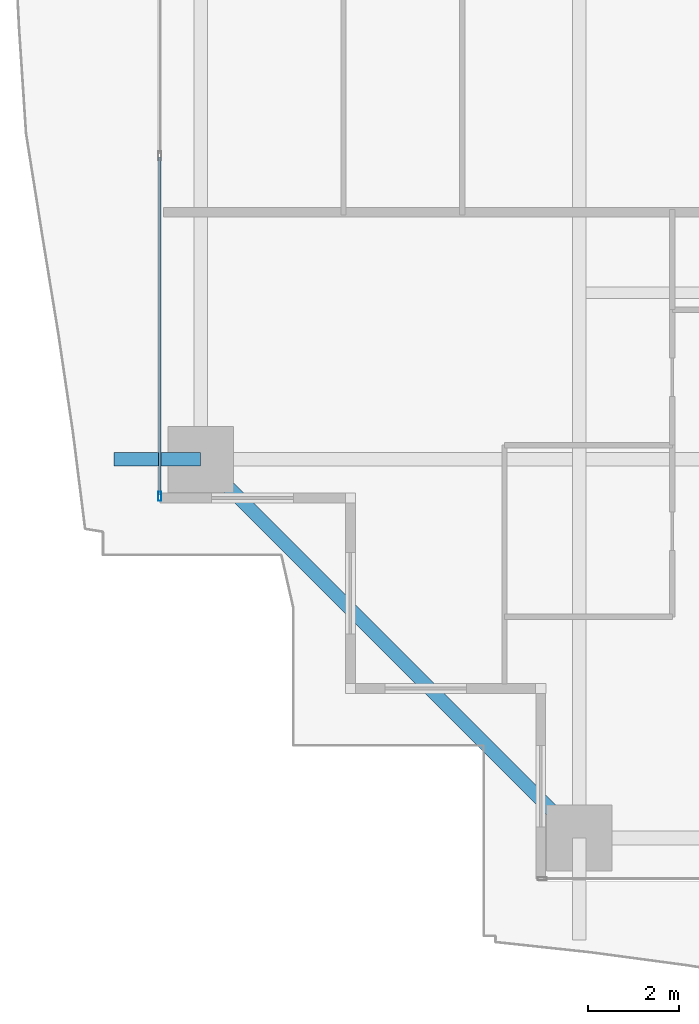
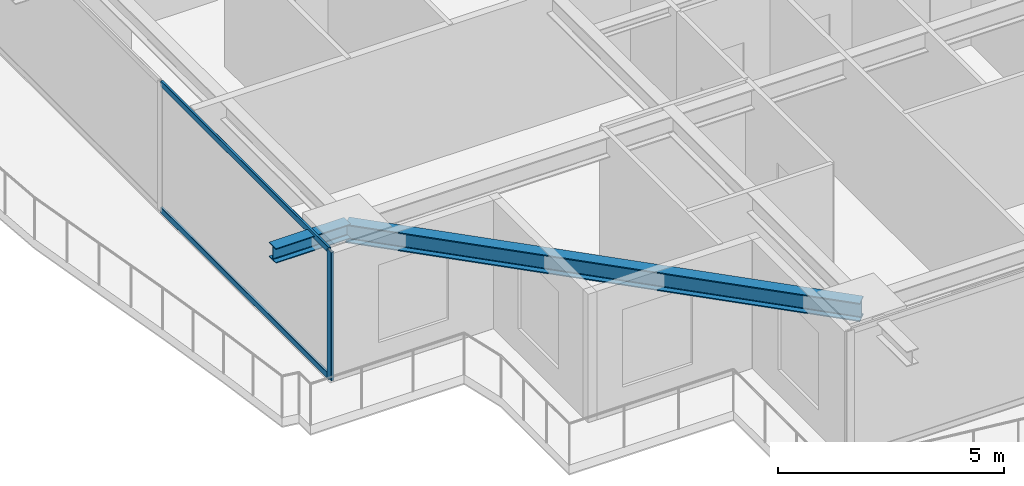
# One storey, part 3 of 40: 3 members, 2 beams, 1 element without a shape of its own.
"""IFC4 building model written with IfcOpenShell, lengths in metres."""

import ifcopenshell
import ifcopenshell.guid

model = None  # the IFC model being written
_history = None  # IfcOwnerHistory: only IFC2X3 demands one
_inside = {}  # id of a spatial element -> (the spatial element, [elements in it])
_under = {}  # id of a project, library or spatial element -> (it, [spatial elements below it])
_declared = {}  # id of a project -> (the project, [libraries it declares])
_typed = {}  # id of a type object -> (the type object, [elements of that type])
_made_of = {}  # id of a material, layer set ... -> (it, [elements and type objects made of it])


def new_model(schema):
    """Start an empty IFC model of exactly this schema.

    Asked for "IFC4X3", IfcOpenShell would pick the latest addendum, in which some entities
    have other attributes; the version numbers below select the first issue.
    IFC2X3 requires an IfcOwnerHistory on every rooted entity: one is made here for all.
    """
    global model, _history
    if schema == "IFC4X3":
        model = ifcopenshell.file(schema_version=(4, 3, 0, 0))
    else:
        model = ifcopenshell.file(schema=schema)
    _inside.clear()
    _under.clear()
    _declared.clear()
    _typed.clear()
    _made_of.clear()
    _history = None
    if model.schema == "IFC2X3":
        org = make("IfcOrganization", Name="unknown")
        user = make(
            "IfcPersonAndOrganization",
            ThePerson=make("IfcPerson", FamilyName="unknown"),
            TheOrganization=org,
        )
        app = make(
            "IfcApplication",
            ApplicationDeveloper=org,
            Version="unknown",
            ApplicationFullName="unknown",
            ApplicationIdentifier="unknown",
        )
        _history = make(
            "IfcOwnerHistory",
            OwningUser=user,
            OwningApplication=app,
            ChangeAction="ADDED",
            CreationDate=0,
        )
    return model


def make(cls, **values):
    """One entity of the class cls with the attributes given. An attribute that is None is left unset."""
    return model.create_entity(
        cls, **{name: value for name, value in values.items() if value is not None}
    )


def rooted(cls, **values):
    """An entity with a GlobalId (a new one), such as an element, a storey or a relation."""
    return make(cls, GlobalId=ifcopenshell.guid.new(), OwnerHistory=_history, **values)


def si_unit(unit_type, name, prefix=None):
    """IfcSIUnit, for example si_unit("LENGTHUNIT", "METRE", prefix="MILLI")."""
    return make("IfcSIUnit", UnitType=unit_type, Prefix=prefix, Name=name)


def assignment(units):
    """IfcUnitAssignment: the units of a project."""
    return None if units is None else make("IfcUnitAssignment", Units=units)


def point(xyz):
    """IfcCartesianPoint."""
    return None if xyz is None else make("IfcCartesianPoint", Coordinates=xyz)


def direction(xyz):
    """IfcDirection."""
    return None if xyz is None else make("IfcDirection", DirectionRatios=xyz)


def frame(location, z_axis=None, x_axis=None):
    """IfcAxis2Placement3D, a coordinate frame: its origin and axes. An axis left out is left unset."""
    return make(
        "IfcAxis2Placement3D",
        Location=point(location),
        Axis=direction(z_axis),
        RefDirection=direction(x_axis),
    )


def frame_2d(location, x_axis=None):
    """IfcAxis2Placement2D, a coordinate frame in the plane: its origin and x axis."""
    return make(
        "IfcAxis2Placement2D", Location=point(location), RefDirection=direction(x_axis)
    )


def origin():
    """The frame at (0, 0, 0) with its axes left unset."""
    return frame((0.0, 0.0, 0.0))


def origin_2d():
    """The frame at (0, 0) in the plane with its x axis left unset."""
    return frame_2d((0.0, 0.0))


def place(relative_to, where):
    """IfcLocalPlacement: puts the frame where relative to a parent placement (None: the world)."""
    return make(
        "IfcLocalPlacement", PlacementRelTo=relative_to, RelativePlacement=where
    )


def context(
    kind, dimensions, precision=None, world=None, true_north=None, identifier=None
):
    """IfcGeometricRepresentationContext, for example the 3D "Model" context."""
    return make(
        "IfcGeometricRepresentationContext",
        ContextIdentifier=identifier,
        ContextType=kind,
        CoordinateSpaceDimension=dimensions,
        Precision=precision,
        WorldCoordinateSystem=world,
        TrueNorth=true_north,
    )


def subcontext(parent, identifier, kind, view, scale=None):
    """IfcGeometricRepresentationSubContext, for example "Body" below "Model"."""
    return make(
        "IfcGeometricRepresentationSubContext",
        ContextIdentifier=identifier,
        ContextType=kind,
        ParentContext=parent,
        TargetScale=scale,
        TargetView=view,
    )


def project(units=None, contexts=None):
    """IfcProject with its units and contexts."""
    return rooted(
        "IfcProject",
        Name="project",
        RepresentationContexts=contexts,
        UnitsInContext=assignment(units),
    )


def spatial(cls, under=None, at=None, **own):
    """A site, building, storey or space (cls), placed at a placement, below another one or the project."""
    s = rooted(cls, ObjectPlacement=at, **own)
    if under is not None:
        _under.setdefault(under.id(), (under, []))[1].append(s)
    return s


def profile(cls, at=None, kind="AREA", **sizes):
    """A parametric profile (cls). Its sizes go by their IFC names, for example OverallWidth=200.0."""
    return make(cls, ProfileType=kind, Position=at, **sizes)


def hollow_rectangle(**sizes):
    """IfcRectangleHollowProfileDef."""
    return profile("IfcRectangleHollowProfileDef", **sizes)


def i_section(**sizes):
    """IfcIShapeProfileDef."""
    return profile("IfcIShapeProfileDef", **sizes)


def extrude(swept, where, along, depth):
    """IfcExtrudedAreaSolid: the profile swept, set in the frame where, extruded along a direction by depth."""
    return make(
        "IfcExtrudedAreaSolid",
        SweptArea=swept,
        Position=where,
        ExtrudedDirection=direction(along),
        Depth=depth,
    )


def shape(context_of_items, identifier, shape_type, items):
    """IfcShapeRepresentation: the items that make up one representation, for example the "Body"."""
    return make(
        "IfcShapeRepresentation",
        ContextOfItems=context_of_items,
        RepresentationIdentifier=identifier,
        RepresentationType=shape_type,
        Items=items,
    )


def source(mapping_origin, context_of_items, identifier, shape_type, items):
    """IfcRepresentationMap: a shape defined once, which mapped items show again and again."""
    return make(
        "IfcRepresentationMap",
        MappingOrigin=mapping_origin,
        MappedRepresentation=shape(context_of_items, identifier, shape_type, items),
    )


def transform(
    local_origin,
    x_axis=None,
    y_axis=None,
    z_axis=None,
    scale=None,
    scale2=None,
    scale3=None,
    uniform=True,
):
    """IfcCartesianTransformationOperator3D, or its non-uniform kind. x_axis, y_axis, z_axis: its Axis1, 2, 3."""
    if uniform:
        return make(
            "IfcCartesianTransformationOperator3D",
            Axis1=direction(x_axis),
            Axis2=direction(y_axis),
            LocalOrigin=point(local_origin),
            Scale=scale,
            Axis3=direction(z_axis),
        )
    return make(
        "IfcCartesianTransformationOperator3DnonUniform",
        Axis1=direction(x_axis),
        Axis2=direction(y_axis),
        LocalOrigin=point(local_origin),
        Scale=scale,
        Axis3=direction(z_axis),
        Scale2=scale2,
        Scale3=scale3,
    )


def mapped(mapping_source, mapping_target):
    """IfcMappedItem: shows the shape of a source again, moved by a transform."""
    return make(
        "IfcMappedItem", MappingSource=mapping_source, MappingTarget=mapping_target
    )


def material(Name=None, Category=None):
    """IfcMaterial."""
    return make("IfcMaterial", Name=Name, Category=Category)


def layer(
    of_material, thickness, ventilated=None, Name=None, Category=None, Priority=None
):
    """IfcMaterialLayer: one layer of a wall or slab, of a material (None: an air gap)."""
    return make(
        "IfcMaterialLayer",
        Material=of_material,
        LayerThickness=thickness,
        IsVentilated=ventilated,
        Name=Name,
        Category=Category,
        Priority=Priority,
    )


def layer_set(layers, Name=None):
    """IfcMaterialLayerSet."""
    return make("IfcMaterialLayerSet", MaterialLayers=layers, LayerSetName=Name)


def material_profile(
    of_material, cross_section, Name=None, Category=None, Priority=None
):
    """IfcMaterialProfile: a cross section and its material."""
    return make(
        "IfcMaterialProfile",
        Name=Name,
        Material=of_material,
        Profile=cross_section,
        Priority=Priority,
        Category=Category,
    )


def profile_set(profiles, Name=None, composite=None):
    """IfcMaterialProfileSet."""
    return make(
        "IfcMaterialProfileSet",
        Name=Name,
        MaterialProfiles=profiles,
        CompositeProfile=composite,
    )


def made_of(thing, what):
    """Note that an element or type object is made of a material, layer set ...; save() writes the relation."""
    if what is not None:
        _made_of.setdefault(what.id(), (what, []))[1].append(thing)
    return thing


def type_object(cls, material=None, **own):
    """A type object (cls), such as IfcWallType, which elements share."""
    return made_of(rooted(cls, **own), material)


def element(
    cls,
    number,
    at=None,
    inside=None,
    cuts=None,
    type_object=None,
    material=None,
    context=None,
    identifier="Body",
    shape_type=None,
    held_by="IfcProductDefinitionShape",
    body=None,
    shapes=None,
    **own,
):
    """One element of the class cls, such as IfcWall. Its Tag is "e" and its number.

    at: its placement. inside: the storey or other place that contains it. cuts: it is an
    opening in that element (IfcRelVoidsElement). A single representation is given by context,
    identifier, shape_type and body (its items); several are given by shapes. held_by: the class
    of the entity that holds the representations. save() writes the other relations.
    """
    e = rooted(cls, Tag="e%d" % number, ObjectPlacement=at, **own)
    if body is not None:
        shapes = [shape(context, identifier, shape_type, body)]
    if shapes is not None:
        e.Representation = make(held_by, Representations=shapes)
    if inside is not None:
        _inside.setdefault(inside.id(), (inside, []))[1].append(e)
    if cuts is not None:
        rooted(
            "IfcRelVoidsElement", RelatingBuildingElement=cuts, RelatedOpeningElement=e
        )
    if type_object is not None:
        _typed.setdefault(type_object.id(), (type_object, []))[1].append(e)
    return made_of(e, material)


def aggregate(whole, parts):
    """IfcRelAggregates: a whole, such as a stair, and the parts it consists of."""
    return rooted("IfcRelAggregates", RelatingObject=whole, RelatedObjects=parts)


def save(model, path):
    """Write the relations noted so far, then the file.

    IfcRelAggregates (storeys below a building ...), IfcRelContainedInSpatialStructure (elements
    in a storey), IfcRelDefinesByType, IfcRelAssociatesMaterial and IfcRelDeclares: one each for
    every whole, place, type object, material and project.
    """
    for whole, parts in _under.values():
        aggregate(whole, parts)
    for where, things in _inside.values():
        rooted(
            "IfcRelContainedInSpatialStructure",
            RelatedElements=things,
            RelatingStructure=where,
        )
    for kind, things in _typed.values():
        rooted("IfcRelDefinesByType", RelatedObjects=things, RelatingType=kind)
    for what, things in _made_of.values():
        rooted("IfcRelAssociatesMaterial", RelatedObjects=things, RelatingMaterial=what)
    for by, libraries in _declared.values():
        rooted("IfcRelDeclares", RelatingContext=by, RelatedDefinitions=libraries)
    model.write(path)


model = new_model("IFC4")

# Units and contexts
model_context = context("Model", 3, precision=1e-05, world=origin(), true_north=direction((0.0, 1.0)))
body_context = subcontext(model_context, "Body", "Model", "MODEL_VIEW")
ifc_project = project(units=[si_unit("LENGTHUNIT", "METRE"), si_unit("AREAUNIT", "SQUARE_METRE"), si_unit("VOLUMEUNIT", "CUBIC_METRE"), si_unit("PLANEANGLEUNIT", "RADIAN"), si_unit("MASSUNIT", "GRAM", prefix="KILO")], contexts=[model_context])

# Site, building, storey
site_placement = place(None, origin())
site = spatial("IfcSite", under=ifc_project, at=site_placement, CompositionType="ELEMENT")
building_placement = place(site_placement, origin())
building = spatial("IfcBuilding", under=site, at=building_placement, Name="Serunith Strait Residences", CompositionType="ELEMENT")
storey_placement = place(building_placement, frame((0.0, 0.0, 90.449951171875)))
storey = spatial("IfcBuildingStorey", under=building, at=storey_placement, Name="L22", CompositionType="ELEMENT", Elevation=90.449951171875)

# Beams
ifc_material_1 = material(Name="Steel S355J2", Category="steel")
ifc_material_profile_1 = material_profile(ifc_material_1, i_section(OverallWidth=0.300048828125, OverallDepth=0.5, WebThickness=0.014404296875, FlangeThickness=0.028076171875, FilletRadius=0.027099609375, at=origin_2d()), Name="HEB 500")
ifc_profile_set_1 = profile_set([ifc_material_profile_1], Name="Steel S355J2")
beam_type_1 = type_object("IfcBeamType", Name="BM-HEB500", PredefinedType="BEAM", material=ifc_profile_set_1)
shared_shape_1 = source(origin(), body_context, "Body", "SweptSolid", [
    extrude(i_section(OverallWidth=0.300048828125, OverallDepth=0.5, WebThickness=0.014404296875, FlangeThickness=0.028076171875, FilletRadius=0.027099609375, at=origin_2d()), origin(), (0.0, 0.0, 1.0), 11.80859375),
])
beam_1_placement = place(storey_placement, frame((6.89990234375, 9.449951171875, 3.20703125), z_axis=(0.707117118476, -0.707096443746, 0.0), x_axis=(0.707096443746, 0.707117118476, 0.0)))
element("IfcBeam", 1, at=beam_1_placement, inside=storey, type_object=beam_type_1, Name="L22 Perimeter Ring Beam 16", PredefinedType="BEAM", context=body_context, shape_type="MappedRepresentation", body=[
    mapped(shared_shape_1, transform((0.0, 0.0, 0.0), scale=1.0)),
])
ifc_material_profile_2 = material_profile(ifc_material_1, i_section(OverallWidth=0.300048828125, OverallDepth=0.39990234375, WebThickness=0.013427734375, FlangeThickness=0.02392578125, FilletRadius=0.027099609375, at=origin_2d()), Name="HEB 400")
ifc_profile_set_2 = profile_set([ifc_material_profile_2], Name="Steel S355J2")
beam_type_2 = type_object("IfcBeamType", Name="BM-HEB400", PredefinedType="BEAM", material=ifc_profile_set_2)
shared_shape_2 = source(origin(), body_context, "Body", "SweptSolid", [
    extrude(i_section(OverallWidth=0.300048828125, OverallDepth=0.39990234375, WebThickness=0.013427734375, FlangeThickness=0.02392578125, FilletRadius=0.027099609375, at=origin_2d()), origin(), (0.0, 0.0, 1.0), 1.909912109375),
])
beam_2_placement = place(storey_placement, frame((6.89990234375, 9.449951171875, 3.257080078125), z_axis=(-1.0, 0.0, 0.0), x_axis=(0.0, -1.0, 0.0)))
element("IfcBeam", 2, at=beam_2_placement, inside=storey, type_object=beam_type_2, Name="L23 Cantilevered Balcony Rib TC-W1", PredefinedType="BEAM", context=body_context, shape_type="MappedRepresentation", body=[
    mapped(shared_shape_2, transform((0.0, 0.0, 0.0), scale=1.0)),
])

# Curtain wall, members
ifc_material_2 = material(Name="Pale-Champagne Anodised Aluminium", Category="aluminium")
ifc_layer = layer(ifc_material_2, 0.199951171875, Name="Pale-Champagne Anodised Aluminium")
ifc_layer_set = layer_set([ifc_layer], Name="Pale-Champagne Anodised Aluminium")
curtain_wall_type = type_object("IfcCurtainWallType", Name="CW-SYS1", PredefinedType="NOTDEFINED", material=ifc_layer_set)
curtain_wall_placement = place(storey_placement, origin())
curtain_wall = element("IfcCurtainWall", 3, at=curtain_wall_placement, inside=storey, type_object=curtain_wall_type, Name="L22 W Unitised Fritted Curtain Wall", PredefinedType="NOTDEFINED")
ifc_material_profile_3 = material_profile(ifc_material_2, hollow_rectangle(XDim=0.070068359375, YDim=0.199951171875, WallThickness=0.00390625, InnerFilletRadius=0.006103515625, OuterFilletRadius=0.010009765625, at=origin_2d()), Name="ALU 200x70x4")
ifc_profile_set_3 = profile_set([ifc_material_profile_3], Name="Pale-Champagne Anodised Aluminium")
member_type_1 = type_object("IfcMemberType", Name="CW-SYS1-MULL", PredefinedType="MULLION", material=ifc_profile_set_3)
shared_shape_3 = source(origin(), body_context, "Body", "SweptSolid", [
    extrude(hollow_rectangle(XDim=0.070068359375, YDim=0.199951171875, WallThickness=0.00390625, InnerFilletRadius=0.006103515625, OuterFilletRadius=0.010009765625, at=origin_2d()), origin(), (0.0, 0.0, 1.0), 3.47509765625),
])
member_1_placement = place(storey_placement, frame((6.0, 8.635009765625, 0.0), z_axis=(0.0, 0.0, 1.0), x_axis=(1.0, 0.0, 0.0)))
member_1 = element("IfcMember", 4, at=member_1_placement, type_object=member_type_1, Name="CW-1 mullion 3", PredefinedType="MULLION", context=body_context, shape_type="MappedRepresentation", body=[
    mapped(shared_shape_3, transform((0.0, 0.0, 0.0), scale=1.0)),
])
ifc_material_profile_4 = material_profile(ifc_material_2, hollow_rectangle(XDim=0.06005859375, YDim=0.159912109375, WallThickness=0.00341796875, InnerFilletRadius=0.00537109375, OuterFilletRadius=0.0087890625, at=origin_2d()), Name="ALU 160x60x3.5")
ifc_profile_set_4 = profile_set([ifc_material_profile_4], Name="Pale-Champagne Anodised Aluminium")
member_type_2 = type_object("IfcMemberType", Name="CW-SYS1-TRAN", PredefinedType="USERDEFINED", material=ifc_profile_set_4)
shared_shape_4 = source(origin(), body_context, "Body", "SweptSolid", [
    extrude(hollow_rectangle(XDim=0.06005859375, YDim=0.159912109375, WallThickness=0.00341796875, InnerFilletRadius=0.00537109375, OuterFilletRadius=0.0087890625, at=origin_2d()), origin(), (0.0, 0.0, 1.0), 7.445068359375),
])
member_2_placement = place(storey_placement, frame((6.0, 16.114990234375, 0.030029296875), z_axis=(0.0, -1.0, 0.0), x_axis=(1.0, 0.0, 0.0)))
member_2 = element("IfcMember", 5, at=member_2_placement, type_object=member_type_2, Name="CW-1 transom 2.1", ObjectType="TRANSOM", PredefinedType="USERDEFINED", context=body_context, shape_type="MappedRepresentation", body=[
    mapped(shared_shape_4, transform((0.0, 0.0, 0.0), scale=1.0)),
])
member_3_placement = place(storey_placement, frame((6.0, 16.114990234375, 3.445068359375), z_axis=(0.0, -1.0, 0.0), x_axis=(1.0, 0.0, 0.0)))
member_3 = element("IfcMember", 6, at=member_3_placement, type_object=member_type_2, Name="CW-1 transom 2.2", ObjectType="TRANSOM", PredefinedType="USERDEFINED", context=body_context, shape_type="MappedRepresentation", body=[
    mapped(shared_shape_4, transform((0.0, 0.0, 0.0), scale=1.0)),
])
aggregate(curtain_wall, [member_1, member_2, member_3])

save(model, "model.ifc")
